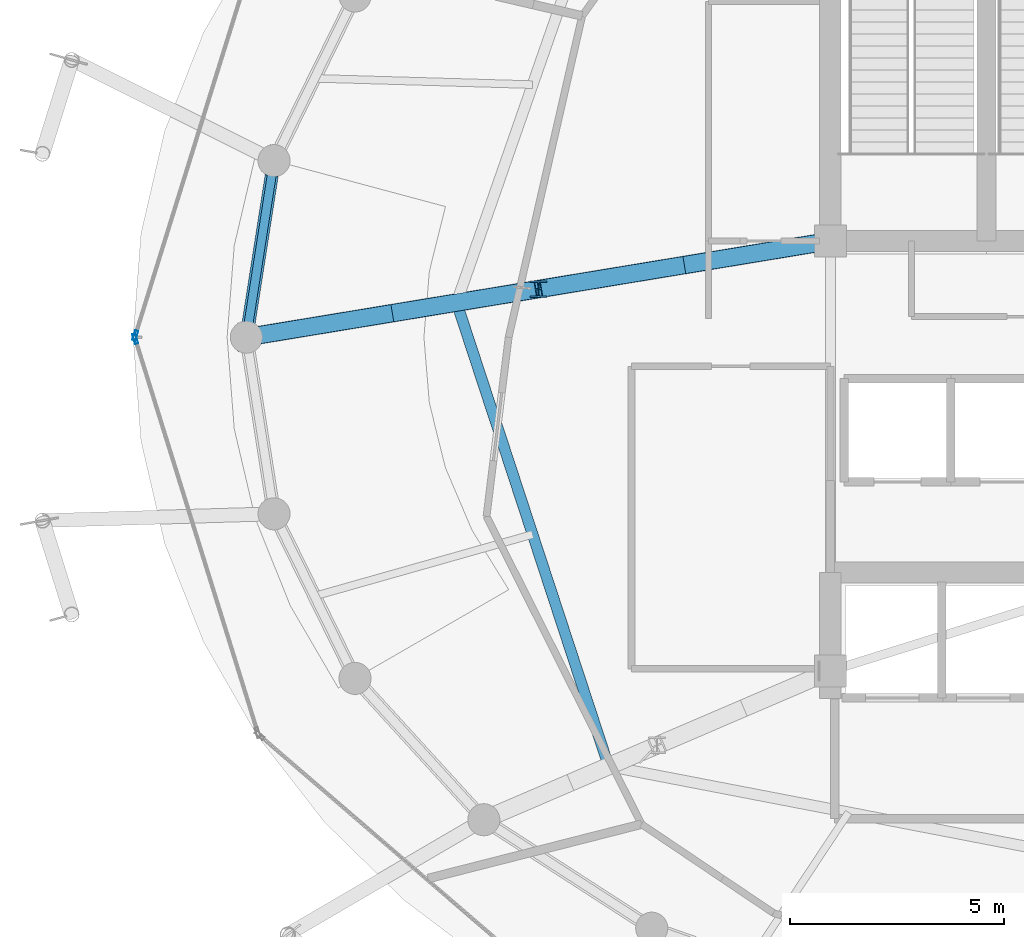
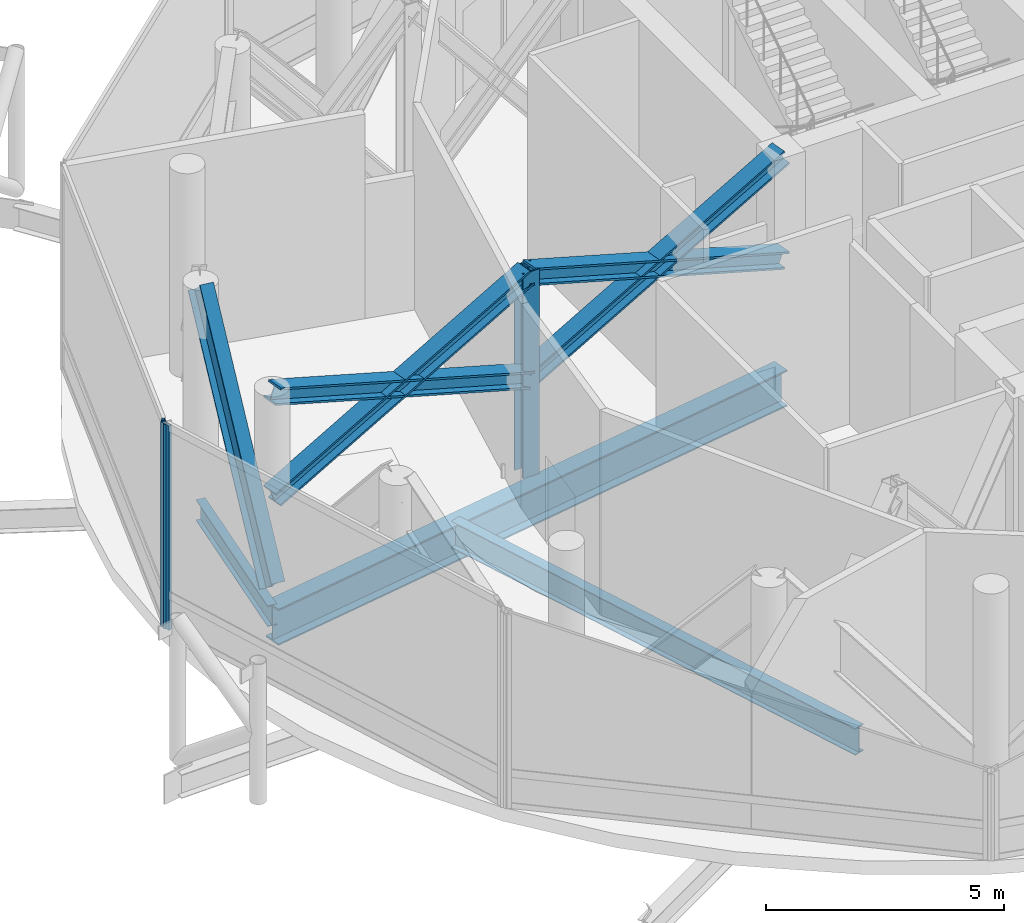
# One storey, part 6 of 26: 8 members, 3 beams, 2 elements without a shape of their own.
"""IFC4 building model written with IfcOpenShell, lengths in metres."""

from ifc_helpers import new_model, si_unit, direction, frame, origin, origin_2d, place, context, subcontext, project, spatial, hollow_rectangle, i_section, extrude, material, layer, layer_set, material_profile, profile_set, type_object, element, aggregate, save


model = new_model("IFC4")

# Units and contexts
model_context = context("Model", 3, precision=1e-05, world=origin(), true_north=direction((0.0, 1.0)))
body_context = subcontext(model_context, "Body", "Model", "MODEL_VIEW")
ifc_project = project(units=[si_unit("LENGTHUNIT", "METRE"), si_unit("AREAUNIT", "SQUARE_METRE"), si_unit("VOLUMEUNIT", "CUBIC_METRE"), si_unit("PLANEANGLEUNIT", "RADIAN"), si_unit("MASSUNIT", "GRAM", prefix="KILO")], contexts=[model_context])

# Site, building, storey
site_placement = place(None, origin())
site = spatial("IfcSite", under=ifc_project, at=site_placement, CompositionType="ELEMENT")
building_placement = place(site_placement, origin())
building = spatial("IfcBuilding", under=site, at=building_placement, Name="Nuhasar Tower", CompositionType="ELEMENT")
storey_placement = place(building_placement, frame((0.0, 0.0, 301.199951171875)))
storey = spatial("IfcBuildingStorey", under=building, at=storey_placement, Name="L75", CompositionType="ELEMENT", Elevation=301.199951171875)

# Member
ifc_material_1 = material(Name="Steel S460", Category="steel")
ifc_material_profile_1 = material_profile(ifc_material_1, i_section(OverallWidth=0.306884765625, OverallDepth=0.927001953125, WebThickness=0.019287109375, FlangeThickness=0.031982421875, at=origin_2d()), Name="W36X194")
ifc_profile_set_1 = profile_set([ifc_material_profile_1], Name="Steel S460")
member_type_1 = type_object("IfcMemberType", Name="BLT-DIAG-W36B", PredefinedType="CHORD", material=ifc_profile_set_1)
member_1_placement = place(storey_placement, frame((20.050048828125, 26.800048828125, 0.150146484375), z_axis=(0.099727894246, 0.637263505636, 0.764165931912), x_axis=(-0.987975241776, 0.154612165232, 0.0)))
element("IfcMember", 1, at=member_1_placement, inside=storey, type_object=member_type_1, Name="L75 Belt Truss Diagonal 12", PredefinedType="CHORD", context=body_context, shape_type="SweptSolid", body=[
    extrude(i_section(OverallWidth=0.306884765625, OverallDepth=0.927001953125, WebThickness=0.019287109375, FlangeThickness=0.031982421875, at=origin_2d()), origin(), (0.0, 0.0, 1.0), 6.4775390625),
])

# Beams
ifc_material_2 = material(Name="Steel S355", Category="steel")
ifc_material_profile_2 = material_profile(ifc_material_2, i_section(OverallWidth=0.25390625, OverallDepth=0.68408203125, WebThickness=0.012451171875, FlangeThickness=0.018798828125, at=origin_2d()), Name="W27X94")
ifc_profile_set_2 = profile_set([ifc_material_profile_2], Name="Steel S355")
beam_type_1 = type_object("IfcBeamType", Name="BM-INRING-W27X94", PredefinedType="BEAM", material=ifc_profile_set_2)
beam_1_placement = place(storey_placement, frame((24.964111328125, 27.610107421875, -0.69189453125), z_axis=(0.311483801376, -0.950251462235, 0.0), x_axis=(0.950251462235, 0.311483801376, 0.0)))
element("IfcBeam", 2, at=beam_1_placement, inside=storey, type_object=beam_type_1, Name="L75 Inner Header Beam 08", PredefinedType="BEAM", context=body_context, shape_type="SweptSolid", body=[
    extrude(i_section(OverallWidth=0.25390625, OverallDepth=0.68408203125, WebThickness=0.012451171875, FlangeThickness=0.018798828125, at=origin_2d()), origin(), (0.0, 0.0, 1.0), 11.403564453125),
])
ifc_material_profile_3 = material_profile(ifc_material_2, i_section(OverallWidth=0.419921875, OverallDepth=0.931884765625, WebThickness=0.021240234375, FlangeThickness=0.03662109375, at=origin_2d()), Name="W36X262")
ifc_profile_set_3 = profile_set([ifc_material_profile_3], Name="Steel S355")
beam_type_2 = type_object("IfcBeamType", Name="BM-POD-W36X262", PredefinedType="BEAM", material=ifc_profile_set_3)
beam_2_placement = place(storey_placement, frame((33.699951171875, 29.050048828125, -0.81591796875), z_axis=(-0.986685215874, -0.162641583786, 0.0), x_axis=(0.162641583786, -0.986685215874, 0.0)))
element("IfcBeam", 3, at=beam_2_placement, inside=storey, type_object=beam_type_2, Name="L75 Radial Floor Girder 08", PredefinedType="BEAM", context=body_context, shape_type="SweptSolid", body=[
    extrude(i_section(OverallWidth=0.419921875, OverallDepth=0.931884765625, WebThickness=0.021240234375, FlangeThickness=0.03662109375, at=origin_2d()), origin(), (0.0, 0.0, 1.0), 13.833984375),
])
ifc_material_profile_4 = material_profile(ifc_material_2, i_section(OverallWidth=0.2099609375, OverallDepth=0.537109375, WebThickness=0.010986328125, FlangeThickness=0.017333984375, at=origin_2d()), Name="W21X68")
ifc_profile_set_4 = profile_set([ifc_material_profile_4], Name="Steel S355")
beam_type_3 = type_object("IfcBeamType", Name="BM-RING-W21X68", PredefinedType="SPANDREL", material=ifc_profile_set_4)
beam_3_placement = place(storey_placement, frame((20.696044921875, 30.927978515625, -0.617919921875), z_axis=(-0.154612165232, -0.987975241776, 0.0), x_axis=(0.987975241776, -0.154612165232, 0.0)))
element("IfcBeam", 4, at=beam_3_placement, inside=storey, type_object=beam_type_3, Name="L75 Perimeter Ring Spandrel 12", PredefinedType="SPANDREL", context=body_context, shape_type="SweptSolid", body=[
    extrude(i_section(OverallWidth=0.2099609375, OverallDepth=0.537109375, WebThickness=0.010986328125, FlangeThickness=0.017333984375, at=origin_2d()), origin(), (0.0, 0.0, 1.0), 4.17822265625),
])

# Curtain wall, member
ifc_material_3 = material(Name="Aluminium 6063-T6", Category="aluminium")
ifc_layer = layer(ifc_material_3, 0.219970703125)
ifc_layer_set = layer_set([ifc_layer], Name="Aluminium 6063-T6")
curtain_wall_type = type_object("IfcCurtainWallType", Name="CW-CROWN", PredefinedType="NOTDEFINED", material=ifc_layer_set)
curtain_wall_1_placement = place(storey_placement, origin())
curtain_wall_1 = element("IfcCurtainWall", 5, at=curtain_wall_1_placement, inside=storey, type_object=curtain_wall_type, Name="L75 Unitised Curtain Wall 06", PredefinedType="NOTDEFINED")
ifc_material_profile_5 = material_profile(ifc_material_3, hollow_rectangle(XDim=0.080078125, YDim=0.239990234375, WallThickness=0.0048828125, at=origin_2d()), Name="CWM-7")
ifc_profile_set_5 = profile_set([ifc_material_profile_5], Name="Aluminium 6063-T6")
member_type_2 = type_object("IfcMemberType", Name="CW-MUL-S7", PredefinedType="MULLION", material=ifc_profile_set_5)
member_2_placement = place(storey_placement, frame((17.451904296875, 26.838134765625, 0.0), z_axis=(0.0, 0.0, 1.0), x_axis=(0.954830829827, -0.297149939275, 0.0)))
member_2 = element("IfcMember", 6, at=member_2_placement, type_object=member_type_2, Name="CW-CR mullion 2", PredefinedType="MULLION", context=body_context, shape_type="SweptSolid", body=[
    extrude(hollow_rectangle(XDim=0.080078125, YDim=0.239990234375, WallThickness=0.0048828125, at=origin_2d()), origin(), (0.0, 0.0, 1.0), 5.25),
])
aggregate(curtain_wall_1, [member_2])

curtain_wall_2_placement = place(storey_placement, origin())
curtain_wall_2 = element("IfcCurtainWall", 7, at=curtain_wall_2_placement, inside=storey, type_object=curtain_wall_type, Name="L75 Unitised Curtain Wall 07", PredefinedType="NOTDEFINED")
member_3_placement = place(storey_placement, frame((17.451904296875, 26.76171875, 0.0), z_axis=(0.0, 0.0, 1.0), x_axis=(0.954830829827, 0.297149939275, 0.0)))
member_3 = element("IfcMember", 8, at=member_3_placement, type_object=member_type_2, Name="CW-CR mullion 1", PredefinedType="MULLION", context=body_context, shape_type="SweptSolid", body=[
    extrude(hollow_rectangle(XDim=0.080078125, YDim=0.239990234375, WallThickness=0.0048828125, at=origin_2d()), origin(), (0.0, 0.0, 1.0), 5.25),
])
aggregate(curtain_wall_2, [member_3])

# Members
ifc_material_profile_6 = material_profile(ifc_material_1, i_section(OverallWidth=0.39892578125, OverallDepth=0.385986328125, WebThickness=0.02099609375, FlangeThickness=0.033203125, at=origin_2d()), Name="W14X176")
ifc_profile_set_6 = profile_set([ifc_material_profile_6], Name="Steel S460")
member_type_3 = type_object("IfcMemberType", Name="OUT-CHRD-W14C", PredefinedType="CHORD", material=ifc_profile_set_6)
member_4_placement = place(storey_placement, frame((26.875, 27.925048828125, 0.0), z_axis=(0.0, 0.0, 1.0), x_axis=(1.0, 0.0, 0.0)))
element("IfcMember", 9, at=member_4_placement, inside=storey, type_object=member_type_3, Name="L75 Outrigger Truss Post 08", PredefinedType="CHORD", context=body_context, shape_type="SweptSolid", body=[
    extrude(i_section(OverallWidth=0.39892578125, OverallDepth=0.385986328125, WebThickness=0.02099609375, FlangeThickness=0.033203125, at=origin_2d()), origin(), (0.0, 0.0, 1.0), 5.25),
])
ifc_material_profile_7 = material_profile(ifc_material_1, i_section(OverallWidth=0.406005859375, OverallDepth=0.416015625, WebThickness=0.02978515625, FlangeThickness=0.048095703125, at=origin_2d()), Name="W14X257")
ifc_profile_set_7 = profile_set([ifc_material_profile_7], Name="Steel S460")
member_type_4 = type_object("IfcMemberType", Name="OUT-DIAG-W14B", PredefinedType="STRUT", material=ifc_profile_set_7)
for number, where, z_axis, x_axis, name in (
    (10, (33.699951171875, 29.050048828125, 2.449951171875), (-0.9213753317, -0.151876141244, 0.357772463803), (0.162641583786, -0.986685215874, 0.0), "L75 Outrigger Truss Diagonal IN1-08"),
    (11, (26.875, 27.925048828125, 2.449951171875), (0.9213753317, 0.151876141244, 0.357772463803), (-0.162641583786, 0.986685215874, 0.0), "L75 Outrigger Truss Diagonal IN2-08"),
    (12, (26.875, 27.925048828125, 2.449951171875), (-0.9213753317, -0.151876141244, 0.357772463803), (0.162641583786, -0.986685215874, 0.0), "L75 Outrigger Truss Diagonal OUT1-08"),
    (13, (20.050048828125, 26.800048828125, 2.449951171875), (0.9213753317, 0.151876141244, 0.357772463803), (-0.162641583786, 0.986685215874, 0.0), "L75 Outrigger Truss Diagonal OUT2-08"),
):
    element("IfcMember", number, at=place(storey_placement, frame(where, z_axis=z_axis, x_axis=x_axis)), inside=storey, type_object=member_type_4, Name=name, PredefinedType="STRUT", context=body_context, shape_type="SweptSolid", body=[
        extrude(i_section(OverallWidth=0.406005859375, OverallDepth=0.416015625, WebThickness=0.02978515625, FlangeThickness=0.048095703125, at=origin_2d()), origin(), (0.0, 0.0, 1.0), 7.407470703125),
    ])

save(model, "model.ifc")
